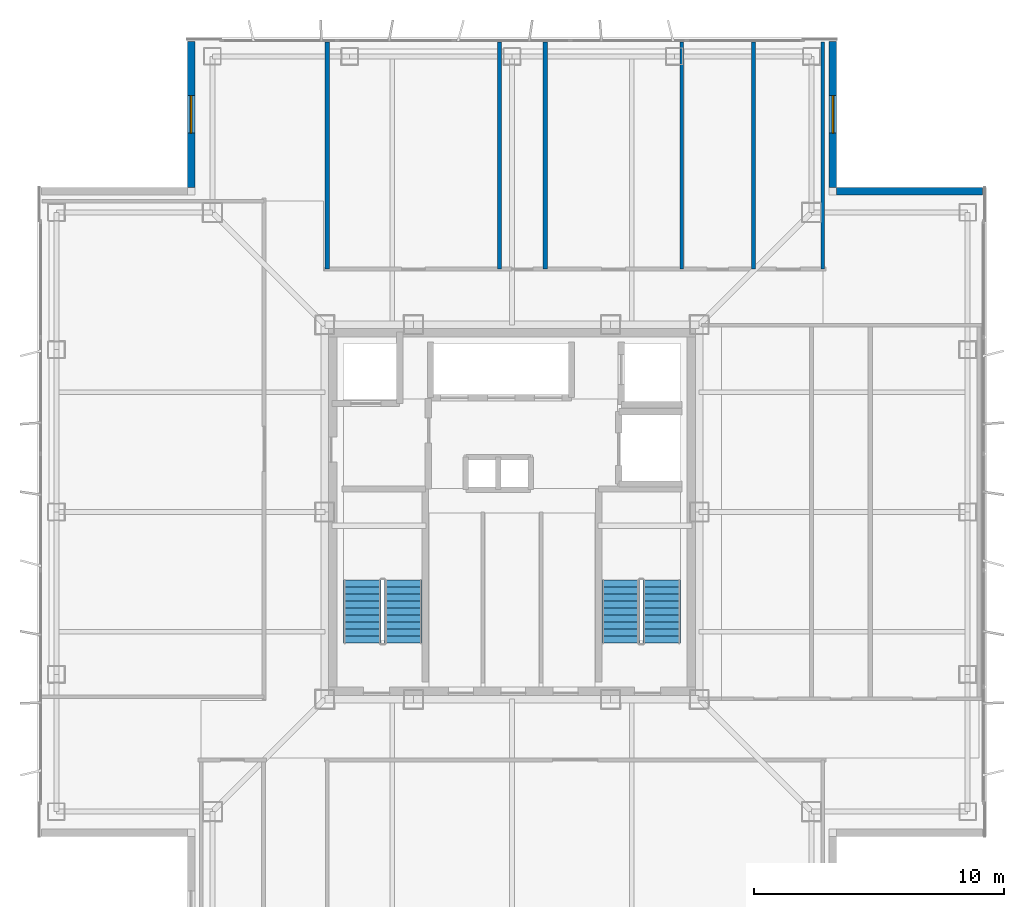
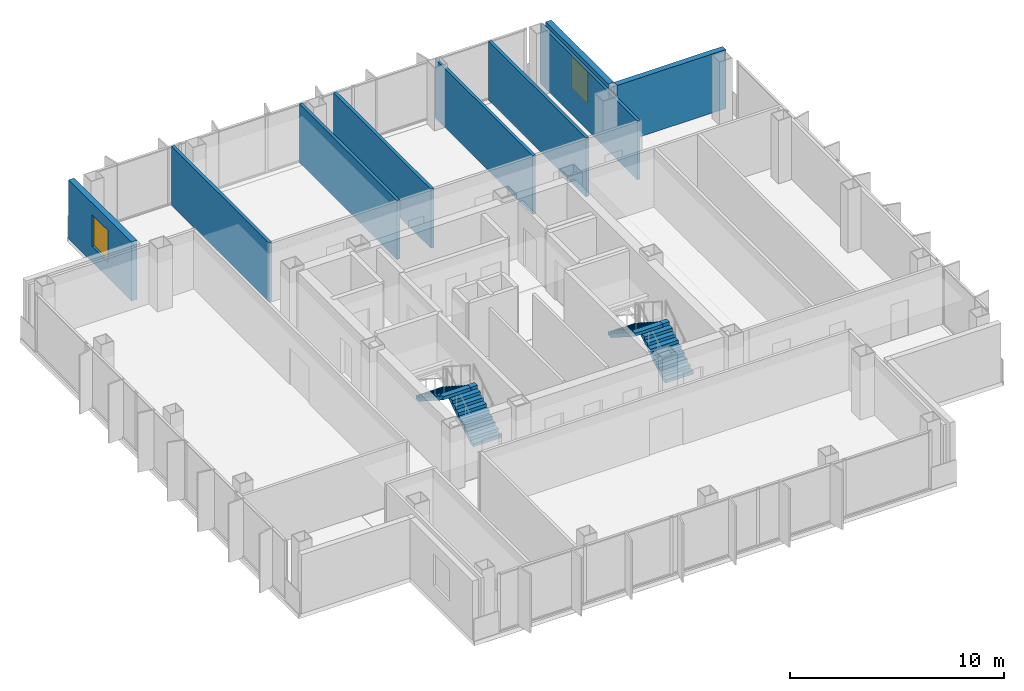
# One storey, part 9 of 15: 9 walls, 4 stair flights, 2 windows, 2 openings, 2 elements without a shape of their own.
"""IFC4 building model written with IfcOpenShell, lengths in metres."""

from ifc_helpers import new_model, si_unit, direction, frame, frame_2d, origin, place, context, subcontext, project, spatial, polyline, rectangle, outline, extrude, material, layer, layer_set, type_object, element, fill, aggregate, save


model = new_model("IFC4")

# Units and contexts
model_context = context("Model", 3, precision=1e-05, world=origin(), true_north=direction((0.0, 1.0)))
body_context = subcontext(model_context, "Body", "Model", "MODEL_VIEW")
ifc_project = project(units=[si_unit("LENGTHUNIT", "METRE"), si_unit("AREAUNIT", "SQUARE_METRE"), si_unit("VOLUMEUNIT", "CUBIC_METRE"), si_unit("PLANEANGLEUNIT", "RADIAN"), si_unit("MASSUNIT", "GRAM", prefix="KILO")], contexts=[model_context])

# Site, building, storey
site_placement = place(None, origin())
site = spatial("IfcSite", under=ifc_project, at=site_placement, CompositionType="ELEMENT")
building_placement = place(site_placement, origin())
building = spatial("IfcBuilding", under=site, at=building_placement, Name="Trevonay Congress Spire", CompositionType="ELEMENT")
storey_placement = place(building_placement, frame((0.0, 0.0, 250.39990234375)))
storey = spatial("IfcBuildingStorey", under=building, at=storey_placement, Name="L65", CompositionType="ELEMENT", Elevation=250.39990234375)

# Wall, opening, window
ifc_material_1 = material(Name="Precast concrete C40/50", Category="concrete")
ifc_layer_1 = layer(ifc_material_1, 0.300048828125, Name="Precast concrete C40/50")
ifc_layer_set_1 = layer_set([ifc_layer_1], Name="Precast concrete C40/50")
wall_type_1 = type_object("IfcWallType", Name="WAL-EXT-PRECAST-300", PredefinedType="SOLIDWALL", material=ifc_layer_set_1)
wall_1_placement = place(storey_placement, frame((12.85009765625, 18.85009765625, 0.0), z_axis=(0.0, 0.0, 1.0), x_axis=(0.0, -1.0, 0.0)))
wall_1 = element("IfcWall", 1, at=wall_1_placement, inside=storey, type_object=wall_type_1, Name="L65 NE re-entrant notch exterior wall 1", PredefinedType="SOLIDWALL", context=body_context, shape_type="SweptSolid", body=[
    extrude(rectangle(XDim=5.85009765625, YDim=0.300048828125, at=frame_2d((2.925048828125, 0.0))), origin(), (0.0, 0.0, 1.0), 3.360107421875),
])
opening_1_placement = place(wall_1_placement, frame((2.175048828125, 0.0, 0.89990234375)))
opening_1 = element("IfcOpeningElement", 2, at=opening_1_placement, cuts=wall_1, Name="Opening WN03", PredefinedType="OPENING", context=body_context, shape_type="SweptSolid", body=[
    extrude(rectangle(XDim=1.5, YDim=1.800048828125, at=frame_2d((0.75, 0.89990234375))), frame((0.0, 0.16015625, 0.0), z_axis=(0.0, -1.0, 0.0), x_axis=(1.0, 0.0, 0.0)), (0.0, 0.0, 1.0), 0.320068359375),
])
ifc_material_2 = material(Name="Insulated Low-E Vision Glass IGU", Category="glass")
window_type = type_object("IfcWindowType", Name="WIN-NOTCH-150X180", PartitioningType="SINGLE_PANEL", PredefinedType="WINDOW", material=ifc_material_2)
window_1_placement = place(opening_1_placement, origin())
window_1 = element("IfcWindow", 3, at=window_1_placement, inside=storey, type_object=window_type, Name="L65 NE corner notch window", OverallHeight=1.800048828125, OverallWidth=1.5, PartitioningType="SINGLE_PANEL", PredefinedType="WINDOW", context=body_context, shape_type="SweptSolid", body=[
    extrude(rectangle(XDim=1.5, YDim=1.800048828125, at=frame_2d((0.75, 0.89990234375))), frame((0.0, 0.030029296875, 0.0), z_axis=(0.0, -1.0, 0.0), x_axis=(1.0, 0.0, 0.0)), (0.0, 0.0, 1.0), 0.06005859375),
])
fill(opening_1, window_1)

# Wall
wall_2_placement = place(storey_placement, frame((18.85009765625, 12.85009765625, 0.0), z_axis=(0.0, 0.0, 1.0), x_axis=(-1.0, 0.0, 0.0)))
element("IfcWall", 4, at=wall_2_placement, inside=storey, type_object=wall_type_1, Name="L65 NE re-entrant notch exterior wall 2", PredefinedType="SOLIDWALL", context=body_context, shape_type="SweptSolid", body=[
    extrude(rectangle(XDim=5.85009765625, YDim=0.300048828125, at=frame_2d((2.925048828125, 0.0))), origin(), (0.0, 0.0, 1.0), 3.360107421875),
])

# Wall, opening, window
wall_3_placement = place(storey_placement, frame((-12.85009765625, 18.85009765625, 0.0), z_axis=(0.0, 0.0, 1.0), x_axis=(0.0, -1.0, 0.0)))
wall_3 = element("IfcWall", 5, at=wall_3_placement, inside=storey, type_object=wall_type_1, Name="L65 NW re-entrant notch exterior wall 1", PredefinedType="SOLIDWALL", context=body_context, shape_type="SweptSolid", body=[
    extrude(rectangle(XDim=5.85009765625, YDim=0.300048828125, at=frame_2d((2.925048828125, 0.0))), origin(), (0.0, 0.0, 1.0), 3.360107421875),
])
opening_2_placement = place(wall_3_placement, frame((2.175048828125, 0.0, 0.89990234375)))
opening_2 = element("IfcOpeningElement", 6, at=opening_2_placement, cuts=wall_3, Name="Opening WN03", PredefinedType="OPENING", context=body_context, shape_type="SweptSolid", body=[
    extrude(rectangle(XDim=1.5, YDim=1.800048828125, at=frame_2d((0.75, 0.89990234375))), frame((0.0, 0.16015625, 0.0), z_axis=(0.0, -1.0, 0.0), x_axis=(1.0, 0.0, 0.0)), (0.0, 0.0, 1.0), 0.320068359375),
])
window_2_placement = place(opening_2_placement, origin())
window_2 = element("IfcWindow", 7, at=window_2_placement, inside=storey, type_object=window_type, Name="L65 NW corner notch window", OverallHeight=1.800048828125, OverallWidth=1.5, PartitioningType="SINGLE_PANEL", PredefinedType="WINDOW", context=body_context, shape_type="SweptSolid", body=[
    extrude(rectangle(XDim=1.5, YDim=1.800048828125, at=frame_2d((0.75, 0.89990234375))), frame((0.0, 0.030029296875, 0.0), z_axis=(0.0, -1.0, 0.0), x_axis=(1.0, 0.0, 0.0)), (0.0, 0.0, 1.0), 0.06005859375),
])
fill(opening_2, window_2)

# Walls
ifc_material_3 = material(Name="Concrete C40/50", Category="concrete")
ifc_layer_2 = layer(ifc_material_3, 0.14990234375, Name="Concrete C40/50")
ifc_layer_set_2 = layer_set([ifc_layer_2], Name="Concrete C40/50")
wall_type_2 = type_object("IfcWallType", Name="WAL-PART-150", PredefinedType="PARTITIONING", material=ifc_layer_set_2)
for number, where, z_axis, x_axis, name in (
    (8, (6.800048828125, 9.72998046875, 0.0), (0.0, 0.0, 1.0), (0.0, 1.0, 0.0), "L65 interior wall WP-L65N-DIV3"),
    (9, (12.449951171875, 9.72998046875, 0.0), (0.0, 0.0, 1.0), (0.0, 1.0, 0.0), "L65 interior wall WP-L65N-DIV4"),
):
    element("IfcWall", number, at=place(storey_placement, frame(where, z_axis=z_axis, x_axis=x_axis)), inside=storey, type_object=wall_type_2, Name=name, PredefinedType="PARTITIONING", context=body_context, shape_type="SweptSolid", body=[
        extrude(rectangle(XDim=9.090087890625, YDim=0.14990234375, at=frame_2d((4.544921875, 0.0))), origin(), (0.0, 0.0, 1.0), 3.360107421875),
    ])
ifc_layer_3 = layer(ifc_material_3, 0.1650390625, Name="Concrete C40/50")
ifc_layer_set_3 = layer_set([ifc_layer_3], Name="Concrete C40/50")
wall_type_3 = type_object("IfcWallType", Name="WAL-WET-165", PredefinedType="PLUMBINGWALL", material=ifc_layer_set_3)
for number, where, z_axis, x_axis, name in (
    (10, (1.330078125, 9.72998046875, 0.0), (0.0, 0.0, 1.0), (0.0, 1.0, 0.0), "L65 interior wall WP-L65N-WCS2"),
    (11, (9.679931640625, 9.72998046875, 0.0), (0.0, 0.0, 1.0), (0.0, 1.0, 0.0), "L65 interior wall WP-L65N-WCS3"),
    (12, (-7.39990234375, 9.72998046875, 0.0), (0.0, 0.0, 1.0), (0.0, 1.0, 0.0), "L65 interior wall WP-L65N-DIV1"),
    (13, (-0.5, 9.72998046875, 0.0), (0.0, 0.0, 1.0), (0.0, 1.0, 0.0), "L65 interior wall WP-L65N-DIV2"),
):
    element("IfcWall", number, at=place(storey_placement, frame(where, z_axis=z_axis, x_axis=x_axis)), inside=storey, type_object=wall_type_3, Name=name, PredefinedType="PLUMBINGWALL", context=body_context, shape_type="SweptSolid", body=[
        extrude(rectangle(XDim=9.090087890625, YDim=0.1650390625, at=frame_2d((4.544921875, 0.0))), origin(), (0.0, 0.0, 1.0), 3.360107421875),
    ])

# Stair, stair flights
stair_type_1 = type_object("IfcStairType", Name="STR-ST-1", PredefinedType="HALF_TURN_STAIR", material=ifc_material_3)
stair_1_placement = place(storey_placement, origin())
stair_1 = element("IfcStair", 14, at=stair_1_placement, inside=storey, type_object=stair_type_1, Name="L65 Protected Exit Stair ST-1", PredefinedType="HALF_TURN_STAIR")
stair_flight_type_1 = type_object("IfcStairFlightType", Name="SFL-ST-1", PredefinedType="STRAIGHT", material=ifc_material_3)
stair_flight_1_placement = place(storey_placement, frame((-4.35009765625, -5.25, 0.0), z_axis=(0.0, 0.0, 1.0), x_axis=(0.0, 1.0, 0.0)))
stair_flight_1 = element("IfcStairFlight", 15, at=stair_flight_1_placement, type_object=stair_flight_type_1, Name="ST-1 flight 1", NumberOfRisers=10, NumberOfTreads=9, PredefinedType="STRAIGHT", RiserHeight=0.18, TreadLength=0.28, context=body_context, shape_type="SweptSolid", body=[
    extrude(outline(polyline([(0.0, 0.0), (0.0, 0.179931640625), (0.280029296875, 0.179931640625), (0.280029296875, 0.360107421875), (0.56005859375, 0.360107421875), (0.56005859375, 0.5400390625), (0.840087890625, 0.5400390625), (0.840087890625, 0.719970703125), (1.1201171875, 0.719970703125), (1.1201171875, 0.89990234375), (1.39990234375, 0.89990234375), (1.39990234375, 1.080078125), (1.679931640625, 1.080078125), (1.679931640625, 1.260009765625), (1.9599609375, 1.260009765625), (1.9599609375, 1.43994140625), (2.239990234375, 1.43994140625), (2.239990234375, 1.6201171875), (2.52001953125, 1.6201171875), (2.52001953125, 1.800048828125), (2.52001953125, 1.44189453125), (0.277099609375, 0.0), (0.0, 0.0)])), frame((0.0, 0.75, 0.0), z_axis=(0.0, -1.0, 0.0), x_axis=(1.0, 0.0, 0.0)), (0.0, 0.0, 1.0), 1.5),
])
stair_flight_2_placement = place(storey_placement, frame((-6.0, -2.72998046875, 1.800048828125), z_axis=(0.0, 0.0, 1.0), x_axis=(0.0, -1.0, 0.0)))
stair_flight_2 = element("IfcStairFlight", 16, at=stair_flight_2_placement, type_object=stair_flight_type_1, Name="ST-1 flight 2", NumberOfRisers=10, NumberOfTreads=9, PredefinedType="STRAIGHT", RiserHeight=0.18, TreadLength=0.28, context=body_context, shape_type="SweptSolid", body=[
    extrude(outline(polyline([(0.0, 0.0), (0.0, 0.179931640625), (0.280029296875, 0.179931640625), (0.280029296875, 0.360107421875), (0.56005859375, 0.360107421875), (0.56005859375, 0.5400390625), (0.840087890625, 0.5400390625), (0.840087890625, 0.719970703125), (1.1201171875, 0.719970703125), (1.1201171875, 0.89990234375), (1.39990234375, 0.89990234375), (1.39990234375, 1.080078125), (1.679931640625, 1.080078125), (1.679931640625, 1.260009765625), (1.9599609375, 1.260009765625), (1.9599609375, 1.43994140625), (2.239990234375, 1.43994140625), (2.239990234375, 1.6201171875), (2.52001953125, 1.6201171875), (2.52001953125, 1.800048828125), (2.52001953125, 1.44189453125), (0.277099609375, 0.0), (0.0, 0.0)])), frame((0.0, 0.75, 0.0), z_axis=(0.0, -1.0, 0.0), x_axis=(1.0, 0.0, 0.0)), (0.0, 0.0, 1.0), 1.5),
])
aggregate(stair_1, [stair_flight_1, stair_flight_2])

stair_type_2 = type_object("IfcStairType", Name="STR-ST-2", PredefinedType="HALF_TURN_STAIR", material=ifc_material_3)
stair_2_placement = place(storey_placement, origin())
stair_2 = element("IfcStair", 17, at=stair_2_placement, inside=storey, type_object=stair_type_2, Name="L65 Protected Exit Stair ST-2", PredefinedType="HALF_TURN_STAIR")
stair_flight_type_2 = type_object("IfcStairFlightType", Name="SFL-ST-2", PredefinedType="STRAIGHT", material=ifc_material_3)
stair_flight_3_placement = place(storey_placement, frame((6.0, -5.25, 0.0), z_axis=(0.0, 0.0, 1.0), x_axis=(0.0, 1.0, 0.0)))
stair_flight_3 = element("IfcStairFlight", 18, at=stair_flight_3_placement, type_object=stair_flight_type_2, Name="ST-2 flight 1", NumberOfRisers=10, NumberOfTreads=9, PredefinedType="STRAIGHT", RiserHeight=0.18, TreadLength=0.28, context=body_context, shape_type="SweptSolid", body=[
    extrude(outline(polyline([(0.0, 0.0), (0.0, 0.179931640625), (0.280029296875, 0.179931640625), (0.280029296875, 0.360107421875), (0.56005859375, 0.360107421875), (0.56005859375, 0.5400390625), (0.840087890625, 0.5400390625), (0.840087890625, 0.719970703125), (1.1201171875, 0.719970703125), (1.1201171875, 0.89990234375), (1.39990234375, 0.89990234375), (1.39990234375, 1.080078125), (1.679931640625, 1.080078125), (1.679931640625, 1.260009765625), (1.9599609375, 1.260009765625), (1.9599609375, 1.43994140625), (2.239990234375, 1.43994140625), (2.239990234375, 1.6201171875), (2.52001953125, 1.6201171875), (2.52001953125, 1.800048828125), (2.52001953125, 1.44189453125), (0.277099609375, 0.0), (0.0, 0.0)])), frame((0.0, 0.75, 0.0), z_axis=(0.0, -1.0, 0.0), x_axis=(1.0, 0.0, 0.0)), (0.0, 0.0, 1.0), 1.5),
])
stair_flight_4_placement = place(storey_placement, frame((4.35009765625, -2.72998046875, 1.800048828125), z_axis=(0.0, 0.0, 1.0), x_axis=(0.0, -1.0, 0.0)))
stair_flight_4 = element("IfcStairFlight", 19, at=stair_flight_4_placement, type_object=stair_flight_type_2, Name="ST-2 flight 2", NumberOfRisers=10, NumberOfTreads=9, PredefinedType="STRAIGHT", RiserHeight=0.18, TreadLength=0.28, context=body_context, shape_type="SweptSolid", body=[
    extrude(outline(polyline([(0.0, 0.0), (0.0, 0.179931640625), (0.280029296875, 0.179931640625), (0.280029296875, 0.360107421875), (0.56005859375, 0.360107421875), (0.56005859375, 0.5400390625), (0.840087890625, 0.5400390625), (0.840087890625, 0.719970703125), (1.1201171875, 0.719970703125), (1.1201171875, 0.89990234375), (1.39990234375, 0.89990234375), (1.39990234375, 1.080078125), (1.679931640625, 1.080078125), (1.679931640625, 1.260009765625), (1.9599609375, 1.260009765625), (1.9599609375, 1.43994140625), (2.239990234375, 1.43994140625), (2.239990234375, 1.6201171875), (2.52001953125, 1.6201171875), (2.52001953125, 1.800048828125), (2.52001953125, 1.44189453125), (0.277099609375, 0.0), (0.0, 0.0)])), frame((0.0, 0.75, 0.0), z_axis=(0.0, -1.0, 0.0), x_axis=(1.0, 0.0, 0.0)), (0.0, 0.0, 1.0), 1.5),
])
aggregate(stair_2, [stair_flight_3, stair_flight_4])

save(model, "model.ifc")
